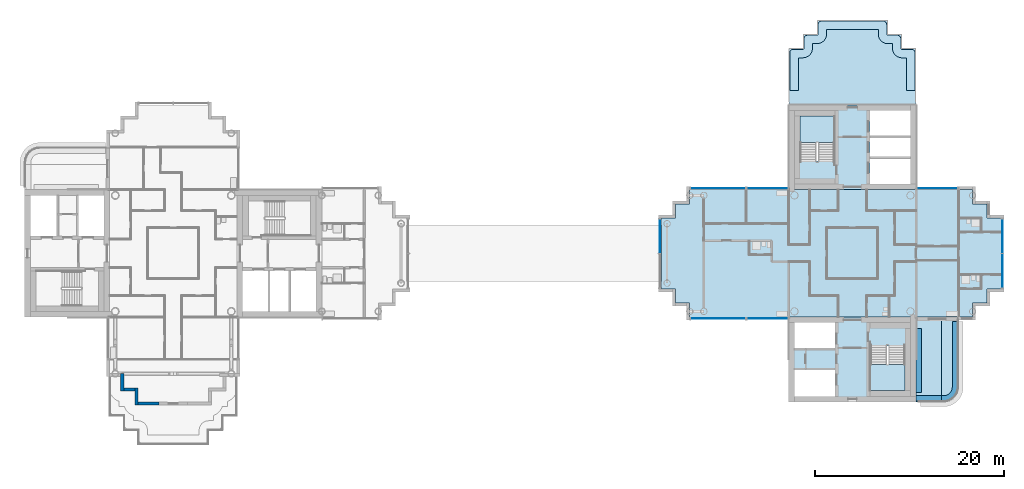
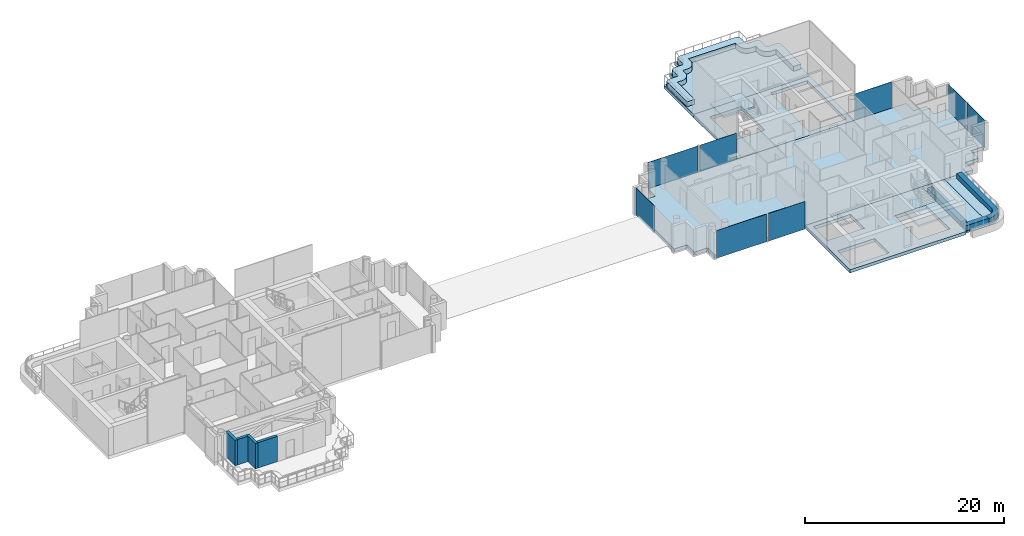
# One storey, part 6 of 19: 12 slabs, 8 plates, 4 walls, 9 elements without a shape of their own.
"""IFC4 building model written with IfcOpenShell, lengths in metres."""

from ifc_helpers import new_model, si_unit, direction, frame, frame_2d, origin, origin_2d, place, context, subcontext, project, spatial, polyline, rectangle, outline, extrude, material, layer, layer_set, type_object, element, aggregate, save


model = new_model("IFC4")

# Units and contexts
model_context = context("Model", 3, precision=1e-05, world=origin(), true_north=direction((0.0, 1.0)))
body_context = subcontext(model_context, "Body", "Model", "MODEL_VIEW")
ifc_project = project(units=[si_unit("LENGTHUNIT", "METRE"), si_unit("AREAUNIT", "SQUARE_METRE"), si_unit("VOLUMEUNIT", "CUBIC_METRE"), si_unit("PLANEANGLEUNIT", "RADIAN"), si_unit("MASSUNIT", "GRAM", prefix="KILO")], contexts=[model_context])

# Site, building, storey
site_placement = place(None, origin())
site = spatial("IfcSite", under=ifc_project, at=site_placement, CompositionType="ELEMENT")
building_placement = place(site_placement, origin())
building = spatial("IfcBuilding", under=site, at=building_placement, Name="Ipe Terrace Towers", CompositionType="ELEMENT")
storey_placement = place(building_placement, frame((0.0, 0.0, 185.800048828125)))
storey = spatial("IfcBuildingStorey", under=building, at=storey_placement, Name="L51", CompositionType="ELEMENT", Elevation=185.800048828125)

# Slabs
ifc_material_1 = material(Name="Concrete C30/37", Category="concrete")
ifc_layer_1 = layer(ifc_material_1, 0.199951171875)
ifc_layer_set_1 = layer_set([ifc_layer_1], Name="BALCONY SLAB 200")
slab_type_1 = type_object("IfcSlabType", Name="BALCONY SLAB 200", PredefinedType="FLOOR", material=ifc_layer_set_1)
slab_1_placement = place(storey_placement, frame((0.0, 0.0, -0.219970703125)))
element("IfcSlab", 1, at=slab_1_placement, inside=storey, type_object=slab_type_1, Name="balcony slab", PredefinedType="FLOOR", context=body_context, shape_type="SweptSolid", body=[
    extrude(outline(polyline([(42.75, -15.75), (45.449951171875, -15.75), (45.449951171875, -6.75), (42.75, -6.75), (42.75, -15.75)])), origin(), (0.0, 0.0, 1.0), 0.199951171875),
])
slab_2_placement = place(storey_placement, frame((0.0, 0.0, -0.219970703125)))
element("IfcSlab", 2, at=slab_2_placement, inside=storey, type_object=slab_type_1, Name="balcony slab", PredefinedType="FLOOR", context=body_context, shape_type="SweptSolid", body=[
    extrude(outline(polyline([(47.25, -6.75), (45.449951171875, -6.75), (45.449951171875, -15.75), (45.64990234375, -15.75), (45.85888671875, -15.736083984375), (46.06396484375, -15.695068359375), (46.261962890625, -15.6279296875), (46.449951171875, -15.535888671875), (46.6240234375, -15.4189453125), (46.781005859375, -15.281005859375), (46.9189453125, -15.1240234375), (47.035888671875, -14.949951171875), (47.1279296875, -14.761962890625), (47.195068359375, -14.56396484375), (47.236083984375, -14.35888671875), (47.25, -14.14990234375), (47.25, -6.75)])), origin(), (0.0, 0.0, 1.0), 0.199951171875),
])
ifc_material_2 = material(Name="Concrete C30/37", Category="concrete")
ifc_layer_2 = layer(ifc_material_2, 0.39990234375)
ifc_layer_set_2 = layer_set([ifc_layer_2], Name="CORE FLOOR SLAB 400 C30-37")
slab_type_2 = type_object("IfcSlabType", Name="CORE FLOOR SLAB 400 C30-37", PredefinedType="FLOOR", material=ifc_layer_set_2)
slab_3_placement = place(storey_placement, frame((0.0, 0.0, -0.400146484375)))
element("IfcSlab", 3, at=slab_3_placement, inside=storey, type_object=slab_type_2, Name="Core floor T2-C1", PredefinedType="FLOOR", context=body_context, shape_type="SweptSolid", body=[
    extrude(outline(polyline([(29.25, 6.75), (29.25, 15.75), (42.75, 15.75), (42.75, 6.75), (29.25, 6.75)]), holes=[polyline([(42.14990234375, 7.35009765625), (42.14990234375, 15.14990234375), (37.85009765625, 15.14990234375), (37.85009765625, 7.35009765625), (42.14990234375, 7.35009765625)]), polyline([(30.449951171875, 9.800048828125), (34.10009765625, 9.800048828125), (34.10009765625, 14.550048828125), (30.449951171875, 14.550048828125), (30.449951171875, 9.800048828125)])]), origin(), (0.0, 0.0, 1.0), 0.400146484375),
])
slab_4_placement = place(storey_placement, frame((0.0, 0.0, -0.400146484375)))
element("IfcSlab", 4, at=slab_4_placement, inside=storey, type_object=slab_type_2, Name="Core floor T2-C2", PredefinedType="FLOOR", context=body_context, shape_type="SweptSolid", body=[
    extrude(outline(polyline([(29.25, -15.75), (29.25, -6.75), (42.75, -6.75), (42.75, -15.75), (29.25, -15.75)]), holes=[polyline([(29.85009765625, -12.25), (29.85009765625, -15.14990234375), (34.14990234375, -15.14990234375), (34.14990234375, -12.25), (29.85009765625, -12.25)]), polyline([(41.550048828125, -9.800048828125), (37.89990234375, -9.800048828125), (37.89990234375, -14.550048828125), (41.550048828125, -14.550048828125), (41.550048828125, -9.800048828125)]), polyline([(34.14990234375, -7.35009765625), (29.85009765625, -7.35009765625), (29.85009765625, -10.14990234375), (34.14990234375, -10.14990234375), (34.14990234375, -7.35009765625)])]), origin(), (0.0, 0.0, 1.0), 0.400146484375),
])

# Stair, slab
ifc_material_3 = material(Name="Concrete C30/37", Category="concrete")
stair_type = type_object("IfcStairType", Name="Protected exit stair", PredefinedType="HALF_TURN_STAIR", material=ifc_material_3)
stair_1_placement = place(storey_placement, origin())
stair_1 = element("IfcStair", 5, at=stair_1_placement, inside=storey, type_object=stair_type, Name="L51 Exit stair T2-C1", PredefinedType="HALF_TURN_STAIR")
ifc_material_4 = material(Name="Concrete C30/37", Category="concrete")
ifc_layer_3 = layer(ifc_material_4, 0.199951171875)
ifc_layer_set_3 = layer_set([ifc_layer_3], Name="Exit stair landing 200")
slab_type_3 = type_object("IfcSlabType", Name="Exit stair landing 200", PredefinedType="LANDING", material=ifc_layer_set_3)
slab_5_placement = place(storey_placement, frame((0.0, 0.0, 1.5)))
slab_5 = element("IfcSlab", 6, at=slab_5_placement, type_object=slab_type_3, Name="T2-ST1 landing 1", PredefinedType="LANDING", context=body_context, shape_type="SweptSolid", body=[
    extrude(outline(polyline([(34.10009765625, 11.780029296875), (34.10009765625, 14.550048828125), (30.449951171875, 14.550048828125), (30.449951171875, 11.780029296875), (34.10009765625, 11.780029296875)])), origin(), (0.0, 0.0, 1.0), 0.199951171875),
])
aggregate(stair_1, [slab_5])

stair_2_placement = place(storey_placement, origin())
stair_2 = element("IfcStair", 7, at=stair_2_placement, inside=storey, type_object=stair_type, Name="L51 Exit stair T2-C2", PredefinedType="HALF_TURN_STAIR")
slab_6_placement = place(storey_placement, frame((0.0, 0.0, 1.5)))
slab_6 = element("IfcSlab", 8, at=slab_6_placement, type_object=slab_type_3, Name="T2-ST2 landing 1", PredefinedType="LANDING", context=body_context, shape_type="SweptSolid", body=[
    extrude(outline(polyline([(37.89990234375, -11.780029296875), (37.89990234375, -14.550048828125), (41.550048828125, -14.550048828125), (41.550048828125, -11.780029296875), (37.89990234375, -11.780029296875)])), origin(), (0.0, 0.0, 1.0), 0.199951171875),
])
aggregate(stair_2, [slab_6])

# Slabs
ifc_material_5 = material(Name="Concrete C40/50", Category="concrete")
ifc_layer_4 = layer(ifc_material_5, 0.39990234375)
ifc_layer_set_4 = layer_set([ifc_layer_4], Name="FLAT PLATE SLAB 400 C40-50")
slab_type_4 = type_object("IfcSlabType", Name="FLAT PLATE SLAB 400 C40-50", PredefinedType="FLOOR", material=ifc_layer_set_4)
slab_7_placement = place(storey_placement, frame((0.0, 0.0, -0.400146484375)))
element("IfcSlab", 9, at=slab_7_placement, inside=storey, type_object=slab_type_4, Name="Slab T2-FS-Z41", PredefinedType="FLOOR", context=body_context, shape_type="SweptSolid", body=[
    extrude(outline(polyline([(48.75, 5.25), (50.25, 5.25), (50.25, 3.75), (51.75, 3.75), (51.75, -3.75), (50.25, -3.75), (50.25, -5.25), (48.75, -5.25), (48.75, -6.75), (42.75, -6.75), (29.25, -6.75), (18.75, -6.75), (18.75, -5.25), (17.25, -5.25), (17.25, -3.75), (15.75, -3.75), (15.75, 3.75), (17.25, 3.75), (17.25, 5.25), (18.75, 5.25), (18.75, 6.75), (29.25, 6.75), (42.75, 6.75), (48.75, 6.75), (48.75, 5.25)])), origin(), (0.0, 0.0, 1.0), 0.400146484375),
])
ifc_material_6 = material(Name="Concrete C30/37", Category="concrete")
ifc_layer_5 = layer(ifc_material_6, 0.60009765625)
ifc_layer_set_5 = layer_set([ifc_layer_5], Name="PLANTER TROUGH 550 x 600")
slab_type_5 = type_object("IfcSlabType", Name="PLANTER TROUGH 550 x 600", PredefinedType="USERDEFINED", material=ifc_layer_set_5)
slab_8_placement = place(storey_placement, frame((0.0, 0.0, -0.02001953125)))
element("IfcSlab", 10, at=slab_8_placement, inside=storey, type_object=slab_type_5, Name="planter", ObjectType="PLANTER", PredefinedType="USERDEFINED", context=body_context, shape_type="SweptSolid", body=[
    extrude(outline(polyline([(42.75, -15.639892578125), (45.449951171875, -15.639892578125), (45.449951171875, -15.090087890625), (42.75, -15.090087890625), (42.75, -15.639892578125)])), origin(), (0.0, 0.0, 1.0), 0.599853515625),
])
slab_9_placement = place(storey_placement, frame((0.0, 0.0, -0.02001953125)))
element("IfcSlab", 11, at=slab_9_placement, inside=storey, type_object=slab_type_5, Name="planter", ObjectType="PLANTER", PredefinedType="USERDEFINED", context=body_context, shape_type="SweptSolid", body=[
    extrude(outline(polyline([(45.89306640625, -15.056884765625), (45.77294921875, -15.0810546875), (45.6279296875, -15.090087890625), (45.449951171875, -15.090087890625), (45.449951171875, -15.639892578125), (45.636962890625, -15.639892578125), (45.655029296875, -15.638916015625), (45.825927734375, -15.6279296875), (45.862060546875, -15.6240234375), (46.01806640625, -15.593017578125), (46.052978515625, -15.5830078125), (46.202880859375, -15.531982421875), (46.236083984375, -15.51806640625), (46.37890625, -15.447998046875), (46.409912109375, -15.429931640625), (46.5419921875, -15.342041015625), (46.570068359375, -15.320068359375), (46.68994140625, -15.215087890625), (46.715087890625, -15.18994140625), (46.820068359375, -15.070068359375), (46.842041015625, -15.0419921875), (46.929931640625, -14.909912109375), (46.947998046875, -14.87890625), (47.01806640625, -14.736083984375), (47.031982421875, -14.702880859375), (47.0830078125, -14.552978515625), (47.093017578125, -14.51806640625), (47.1240234375, -14.362060546875), (47.1279296875, -14.325927734375), (47.138916015625, -14.155029296875), (47.139892578125, -14.136962890625), (47.139892578125, -7.199951171875), (46.590087890625, -7.199951171875), (46.590087890625, -14.1279296875), (46.5810546875, -14.27294921875), (46.556884765625, -14.39306640625), (46.51708984375, -14.509033203125), (46.462890625, -14.618896484375), (46.39501953125, -14.720947265625), (46.31396484375, -14.81396484375), (46.220947265625, -14.89501953125), (46.118896484375, -14.962890625), (46.009033203125, -15.01708984375), (45.89306640625, -15.056884765625)])), origin(), (0.0, 0.0, 1.0), 0.599853515625),
])
slab_10_placement = place(storey_placement, frame((0.0, 0.0, -0.02001953125)))
element("IfcSlab", 12, at=slab_10_placement, inside=storey, type_object=slab_type_5, Name="planter", ObjectType="PLANTER", PredefinedType="USERDEFINED", context=body_context, shape_type="SweptSolid", body=[
    extrude(outline(polyline([(42.75, -7.949951171875), (42.75, -14.75), (43.300048828125, -14.75), (43.300048828125, -7.949951171875), (42.75, -7.949951171875)])), origin(), (0.0, 0.0, 1.0), 0.599853515625),
])
ifc_material_7 = material(Name="Concrete C40/50", Category="concrete")
ifc_layer_6 = layer(ifc_material_7, 0.39990234375)
ifc_layer_set_6 = layer_set([ifc_layer_6], Name="TERRACE DECK SLAB 400 C40-50")
slab_type_6 = type_object("IfcSlabType", Name="TERRACE DECK SLAB 400 C40-50", PredefinedType="FLOOR", material=ifc_layer_set_6)
slab_11_placement = place(storey_placement, frame((0.0, 0.0, -0.420166015625)))
element("IfcSlab", 13, at=slab_11_placement, inside=storey, type_object=slab_type_6, Name="Slab T2-TD-L51-1", PredefinedType="FLOOR", context=body_context, shape_type="SweptSolid", body=[
    extrude(outline(polyline([(29.2548828125, 15.7548828125), (29.2548828125, 21.7451171875), (30.7548828125, 21.7451171875), (30.7548828125, 23.2451171875), (32.2548828125, 23.2451171875), (32.2548828125, 24.7451171875), (39.7451171875, 24.7451171875), (39.7451171875, 23.2451171875), (41.2451171875, 23.2451171875), (41.2451171875, 21.7451171875), (42.7451171875, 21.7451171875), (42.7451171875, 15.7548828125), (29.2548828125, 15.7548828125)])), origin(), (0.0, 0.0, 1.0), 0.400146484375),
])
ifc_material_8 = material(Name="Concrete C30/37", Category="concrete")
ifc_layer_7 = layer(ifc_material_8, 0.60009765625)
ifc_layer_set_7 = layer_set([ifc_layer_7], Name="TERRACE PLANTING BED 900 x 600")
slab_type_7 = type_object("IfcSlabType", Name="TERRACE PLANTING BED 900 x 600", PredefinedType="USERDEFINED", material=ifc_layer_set_7)
slab_12_placement = place(storey_placement, frame((0.0, 0.0, -0.02001953125)))
element("IfcSlab", 14, at=slab_12_placement, inside=storey, type_object=slab_type_7, Name="planter", ObjectType="PLANTER", PredefinedType="USERDEFINED", context=body_context, shape_type="SweptSolid", body=[
    extrude(outline(polyline([(30.260009765625, 20.72998046875), (30.260009765625, 20.739990234375), (30.27001953125, 20.739990234375), (30.7509765625, 20.739990234375), (30.77099609375, 20.739990234375), (30.8291015625, 20.742919921875), (30.867919921875, 20.7470703125), (30.927978515625, 20.756103515625), (30.966064453125, 20.763916015625), (31.02392578125, 20.778076171875), (31.06201171875, 20.7900390625), (31.117919921875, 20.81005859375), (31.154052734375, 20.824951171875), (31.208984375, 20.85009765625), (31.242919921875, 20.868896484375), (31.294921875, 20.89990234375), (31.326904296875, 20.9208984375), (31.375, 20.95703125), (31.406005859375, 20.98193359375), (31.449951171875, 21.02197265625), (31.47802734375, 21.050048828125), (31.51806640625, 21.093994140625), (31.54296875, 21.125), (31.5791015625, 21.173095703125), (31.60009765625, 21.205078125), (31.631103515625, 21.257080078125), (31.64990234375, 21.291015625), (31.675048828125, 21.345947265625), (31.68994140625, 21.382080078125), (31.7099609375, 21.43798828125), (31.721923828125, 21.47607421875), (31.736083984375, 21.533935546875), (31.743896484375, 21.572021484375), (31.7529296875, 21.632080078125), (31.757080078125, 21.6708984375), (31.760009765625, 21.72900390625), (31.760009765625, 21.7490234375), (31.760009765625, 22.22998046875), (31.760009765625, 22.239990234375), (31.77001953125, 22.239990234375), (32.2509765625, 22.239990234375), (32.27099609375, 22.239990234375), (32.3291015625, 22.242919921875), (32.367919921875, 22.2470703125), (32.427978515625, 22.256103515625), (32.466064453125, 22.263916015625), (32.52392578125, 22.278076171875), (32.56201171875, 22.2900390625), (32.617919921875, 22.31005859375), (32.654052734375, 22.324951171875), (32.708984375, 22.35009765625), (32.742919921875, 22.368896484375), (32.794921875, 22.39990234375), (32.826904296875, 22.4208984375), (32.875, 22.45703125), (32.906005859375, 22.48193359375), (32.949951171875, 22.52197265625), (32.97802734375, 22.550048828125), (33.01806640625, 22.593994140625), (33.04296875, 22.625), (33.0791015625, 22.673095703125), (33.10009765625, 22.705078125), (33.131103515625, 22.757080078125), (33.14990234375, 22.791015625), (33.175048828125, 22.845947265625), (33.18994140625, 22.882080078125), (33.2099609375, 22.93798828125), (33.221923828125, 22.97607421875), (33.236083984375, 23.033935546875), (33.243896484375, 23.072021484375), (33.2529296875, 23.132080078125), (33.257080078125, 23.1708984375), (33.260009765625, 23.22900390625), (33.260009765625, 23.2490234375), (33.260009765625, 23.72998046875), (33.260009765625, 23.739990234375), (33.27001953125, 23.739990234375), (38.72998046875, 23.739990234375), (38.739990234375, 23.739990234375), (38.739990234375, 23.72998046875), (38.739990234375, 23.2490234375), (38.739990234375, 23.22900390625), (38.742919921875, 23.1708984375), (38.7470703125, 23.132080078125), (38.756103515625, 23.072021484375), (38.763916015625, 23.033935546875), (38.778076171875, 22.97607421875), (38.7900390625, 22.93798828125), (38.81005859375, 22.882080078125), (38.824951171875, 22.845947265625), (38.85009765625, 22.791015625), (38.868896484375, 22.757080078125), (38.89990234375, 22.705078125), (38.9208984375, 22.673095703125), (38.95703125, 22.625), (38.98193359375, 22.593994140625), (39.02197265625, 22.550048828125), (39.050048828125, 22.52197265625), (39.093994140625, 22.48193359375), (39.125, 22.45703125), (39.173095703125, 22.4208984375), (39.205078125, 22.39990234375), (39.257080078125, 22.368896484375), (39.291015625, 22.35009765625), (39.345947265625, 22.324951171875), (39.382080078125, 22.31005859375), (39.43798828125, 22.2900390625), (39.47607421875, 22.278076171875), (39.533935546875, 22.263916015625), (39.572021484375, 22.256103515625), (39.632080078125, 22.2470703125), (39.6708984375, 22.242919921875), (39.72900390625, 22.239990234375), (39.7490234375, 22.239990234375), (40.22998046875, 22.239990234375), (40.239990234375, 22.239990234375), (40.239990234375, 22.22998046875), (40.239990234375, 21.7490234375), (40.239990234375, 21.72900390625), (40.242919921875, 21.6708984375), (40.2470703125, 21.632080078125), (40.256103515625, 21.572021484375), (40.263916015625, 21.533935546875), (40.278076171875, 21.47607421875), (40.2900390625, 21.43798828125), (40.31005859375, 21.382080078125), (40.324951171875, 21.345947265625), (40.35009765625, 21.291015625), (40.368896484375, 21.257080078125), (40.39990234375, 21.205078125), (40.4208984375, 21.173095703125), (40.45703125, 21.125), (40.48193359375, 21.093994140625), (40.52197265625, 21.050048828125), (40.550048828125, 21.02197265625), (40.593994140625, 20.98193359375), (40.625, 20.95703125), (40.673095703125, 20.9208984375), (40.705078125, 20.89990234375), (40.757080078125, 20.868896484375), (40.791015625, 20.85009765625), (40.845947265625, 20.824951171875), (40.882080078125, 20.81005859375), (40.93798828125, 20.7900390625), (40.97607421875, 20.778076171875), (41.033935546875, 20.763916015625), (41.072021484375, 20.756103515625), (41.132080078125, 20.7470703125), (41.1708984375, 20.742919921875), (41.22900390625, 20.739990234375), (41.2490234375, 20.739990234375), (41.72998046875, 20.739990234375), (41.739990234375, 20.739990234375), (41.739990234375, 20.72998046875), (41.739990234375, 17.27001953125), (42.639892578125, 17.27001953125), (42.639892578125, 21.239990234375), (42.637939453125, 21.279052734375), (42.632080078125, 21.318115234375), (42.623046875, 21.35595703125), (42.610107421875, 21.39306640625), (42.593017578125, 21.428955078125), (42.572998046875, 21.4619140625), (42.549072265625, 21.493896484375), (42.52294921875, 21.52294921875), (42.493896484375, 21.549072265625), (42.4619140625, 21.572998046875), (42.428955078125, 21.593017578125), (42.39306640625, 21.610107421875), (42.35595703125, 21.623046875), (42.318115234375, 21.632080078125), (42.279052734375, 21.637939453125), (42.239990234375, 21.639892578125), (41.26611328125, 21.639892578125), (41.256103515625, 21.639892578125), (41.2490234375, 21.64111328125), (41.23388671875, 21.64208984375), (41.222900390625, 21.64404296875), (41.212890625, 21.64697265625), (41.202880859375, 21.65087890625), (41.194091796875, 21.656005859375), (41.18505859375, 21.662109375), (41.177001953125, 21.6689453125), (41.1689453125, 21.677001953125), (41.162109375, 21.68505859375), (41.156005859375, 21.694091796875), (41.15087890625, 21.702880859375), (41.14697265625, 21.712890625), (41.14404296875, 21.722900390625), (41.14208984375, 21.73388671875), (41.14111328125, 21.7490234375), (41.139892578125, 21.756103515625), (41.139892578125, 21.76611328125), (41.139892578125, 22.739990234375), (41.137939453125, 22.779052734375), (41.132080078125, 22.818115234375), (41.123046875, 22.85595703125), (41.110107421875, 22.89306640625), (41.093017578125, 22.928955078125), (41.072998046875, 22.9619140625), (41.049072265625, 22.993896484375), (41.02294921875, 23.02294921875), (40.993896484375, 23.049072265625), (40.9619140625, 23.072998046875), (40.928955078125, 23.093017578125), (40.89306640625, 23.110107421875), (40.85595703125, 23.123046875), (40.818115234375, 23.132080078125), (40.779052734375, 23.137939453125), (40.739990234375, 23.139892578125), (39.76611328125, 23.139892578125), (39.756103515625, 23.139892578125), (39.7490234375, 23.14111328125), (39.73388671875, 23.14208984375), (39.722900390625, 23.14404296875), (39.712890625, 23.14697265625), (39.702880859375, 23.15087890625), (39.694091796875, 23.156005859375), (39.68505859375, 23.162109375), (39.677001953125, 23.1689453125), (39.6689453125, 23.177001953125), (39.662109375, 23.18505859375), (39.656005859375, 23.194091796875), (39.65087890625, 23.202880859375), (39.64697265625, 23.212890625), (39.64404296875, 23.222900390625), (39.64208984375, 23.23388671875), (39.64111328125, 23.2490234375), (39.639892578125, 23.256103515625), (39.639892578125, 23.26611328125), (39.639892578125, 24.239990234375), (39.637939453125, 24.279052734375), (39.632080078125, 24.318115234375), (39.623046875, 24.35595703125), (39.610107421875, 24.39306640625), (39.593017578125, 24.428955078125), (39.572998046875, 24.4619140625), (39.549072265625, 24.493896484375), (39.52294921875, 24.52294921875), (39.493896484375, 24.549072265625), (39.4619140625, 24.572998046875), (39.428955078125, 24.593017578125), (39.39306640625, 24.610107421875), (39.35595703125, 24.623046875), (39.318115234375, 24.632080078125), (39.279052734375, 24.637939453125), (39.239990234375, 24.639892578125), (32.760009765625, 24.639892578125), (32.720947265625, 24.637939453125), (32.681884765625, 24.632080078125), (32.64404296875, 24.623046875), (32.60693359375, 24.610107421875), (32.571044921875, 24.593017578125), (32.5380859375, 24.572998046875), (32.506103515625, 24.549072265625), (32.47705078125, 24.52294921875), (32.450927734375, 24.493896484375), (32.427001953125, 24.4619140625), (32.406982421875, 24.428955078125), (32.389892578125, 24.39306640625), (32.376953125, 24.35595703125), (32.367919921875, 24.318115234375), (32.362060546875, 24.279052734375), (32.360107421875, 24.239990234375), (32.360107421875, 23.26611328125), (32.360107421875, 23.256103515625), (32.35888671875, 23.2490234375), (32.35791015625, 23.23388671875), (32.35595703125, 23.222900390625), (32.35302734375, 23.212890625), (32.34912109375, 23.202880859375), (32.343994140625, 23.194091796875), (32.337890625, 23.18505859375), (32.3310546875, 23.177001953125), (32.322998046875, 23.1689453125), (32.31494140625, 23.162109375), (32.305908203125, 23.156005859375), (32.297119140625, 23.15087890625), (32.287109375, 23.14697265625), (32.277099609375, 23.14404296875), (32.26611328125, 23.14208984375), (32.2509765625, 23.14111328125), (32.243896484375, 23.139892578125), (32.23388671875, 23.139892578125), (31.260009765625, 23.139892578125), (31.220947265625, 23.137939453125), (31.181884765625, 23.132080078125), (31.14404296875, 23.123046875), (31.10693359375, 23.110107421875), (31.071044921875, 23.093017578125), (31.0380859375, 23.072998046875), (31.006103515625, 23.049072265625), (30.97705078125, 23.02294921875), (30.950927734375, 22.993896484375), (30.927001953125, 22.9619140625), (30.906982421875, 22.928955078125), (30.889892578125, 22.89306640625), (30.876953125, 22.85595703125), (30.867919921875, 22.818115234375), (30.862060546875, 22.779052734375), (30.860107421875, 22.739990234375), (30.860107421875, 21.76611328125), (30.860107421875, 21.756103515625), (30.85888671875, 21.7490234375), (30.85791015625, 21.73388671875), (30.85595703125, 21.722900390625), (30.85302734375, 21.712890625), (30.84912109375, 21.702880859375), (30.843994140625, 21.694091796875), (30.837890625, 21.68505859375), (30.8310546875, 21.677001953125), (30.822998046875, 21.6689453125), (30.81494140625, 21.662109375), (30.805908203125, 21.656005859375), (30.797119140625, 21.65087890625), (30.787109375, 21.64697265625), (30.777099609375, 21.64404296875), (30.76611328125, 21.64208984375), (30.7509765625, 21.64111328125), (30.743896484375, 21.639892578125), (30.73388671875, 21.639892578125), (29.760009765625, 21.639892578125), (29.720947265625, 21.637939453125), (29.681884765625, 21.632080078125), (29.64404296875, 21.623046875), (29.60693359375, 21.610107421875), (29.571044921875, 21.593017578125), (29.5380859375, 21.572998046875), (29.506103515625, 21.549072265625), (29.47705078125, 21.52294921875), (29.450927734375, 21.493896484375), (29.427001953125, 21.4619140625), (29.406982421875, 21.428955078125), (29.389892578125, 21.39306640625), (29.376953125, 21.35595703125), (29.367919921875, 21.318115234375), (29.362060546875, 21.279052734375), (29.360107421875, 21.239990234375), (29.360107421875, 17.27001953125), (30.260009765625, 17.27001953125), (30.260009765625, 20.72998046875)])), origin(), (0.0, 0.0, 1.0), 0.599853515625),
])

# Curtain wall, plates
ifc_material_9 = material(Name="Aluminium alloy 6063-T6", Category="aluminium")
ifc_layer_8 = layer(ifc_material_9, 0.320068359375)
ifc_layer_set_8 = layer_set([ifc_layer_8], Name="TOWER UNITISED CURTAIN WALL")
curtain_wall_type = type_object("IfcCurtainWallType", Name="TOWER UNITISED CURTAIN WALL", PredefinedType="NOTDEFINED", material=ifc_layer_set_8)
curtain_wall_1_placement = place(storey_placement, origin())
curtain_wall_1 = element("IfcCurtainWall", 15, at=curtain_wall_1_placement, inside=storey, type_object=curtain_wall_type, Name="T2-CW-L51-08a curtain wall", PredefinedType="NOTDEFINED")
ifc_material_10 = material(Name="Glass, clear laminated", Category="glass")
ifc_layer_9 = layer(ifc_material_10, 0.031982421875)
ifc_layer_set_9 = layer_set([ifc_layer_9], Name="TOWER UNITISED GLASS PANEL 32")
plate_type = type_object("IfcPlateType", Name="TOWER UNITISED GLASS PANEL 32", PredefinedType="CURTAIN_PANEL", material=ifc_layer_set_9)
plate_1_placement = place(storey_placement, frame((51.909912109375, -1.831298828125, -0.300048828125), z_axis=(0.0, 0.0, 1.0), x_axis=(0.0, 1.0, 0.0)))
plate_1 = element("IfcPlate", 16, at=plate_1_placement, type_object=plate_type, Name="T2-CW-L51-08a panel 1", PredefinedType="CURTAIN_PANEL", context=body_context, shape_type="SweptSolid", body=[
    extrude(rectangle(XDim=3.597412109375, YDim=0.031982421875, at=origin_2d()), origin(), (0.0, 0.0, 1.0), 3.39990234375),
])
plate_2_placement = place(storey_placement, frame((51.909912109375, 1.831298828125, -0.300048828125), z_axis=(0.0, 0.0, 1.0), x_axis=(0.0, 1.0, 0.0)))
plate_2 = element("IfcPlate", 17, at=plate_2_placement, type_object=plate_type, Name="T2-CW-L51-08a panel 2", PredefinedType="CURTAIN_PANEL", context=body_context, shape_type="SweptSolid", body=[
    extrude(rectangle(XDim=3.597412109375, YDim=0.031982421875, at=origin_2d()), origin(), (0.0, 0.0, 1.0), 3.39990234375),
])
aggregate(curtain_wall_1, [plate_1, plate_2])

# Curtain wall, plate
curtain_wall_2_placement = place(storey_placement, origin())
curtain_wall_2 = element("IfcCurtainWall", 18, at=curtain_wall_2_placement, inside=storey, type_object=curtain_wall_type, Name="T2-CW-L51-14a curtain wall", PredefinedType="NOTDEFINED")
plate_3_placement = place(storey_placement, frame((45.0, 6.909912109375, -0.300048828125), z_axis=(0.0, 0.0, 1.0), x_axis=(-1.0, 0.0, 0.0)))
plate_3 = element("IfcPlate", 19, at=plate_3_placement, type_object=plate_type, Name="T2-CW-L51-14a panel 1", PredefinedType="CURTAIN_PANEL", context=body_context, shape_type="SweptSolid", body=[
    extrude(rectangle(XDim=4.260009765625, YDim=0.031982421875, at=origin_2d()), origin(), (0.0, 0.0, 1.0), 3.39990234375),
])
aggregate(curtain_wall_2, [plate_3])

curtain_wall_3_placement = place(storey_placement, origin())
curtain_wall_3 = element("IfcCurtainWall", 20, at=curtain_wall_3_placement, inside=storey, type_object=curtain_wall_type, Name="T2-CW-L51-20a curtain wall", PredefinedType="NOTDEFINED")
plate_4_placement = place(storey_placement, frame((27.0, 6.909912109375, -0.300048828125), z_axis=(0.0, 0.0, 1.0), x_axis=(-1.0, 0.0, 0.0)))
plate_4 = element("IfcPlate", 21, at=plate_4_placement, type_object=plate_type, Name="T2-CW-L51-20a panel 1", PredefinedType="CURTAIN_PANEL", context=body_context, shape_type="SweptSolid", body=[
    extrude(rectangle(XDim=4.260009765625, YDim=0.031982421875, at=origin_2d()), origin(), (0.0, 0.0, 1.0), 3.39990234375),
])
aggregate(curtain_wall_3, [plate_4])

curtain_wall_4_placement = place(storey_placement, origin())
curtain_wall_4 = element("IfcCurtainWall", 22, at=curtain_wall_4_placement, inside=storey, type_object=curtain_wall_type, Name="T2-CW-L51-21a curtain wall", PredefinedType="NOTDEFINED")
plate_5_placement = place(storey_placement, frame((21.75, 6.909912109375, -0.300048828125), z_axis=(0.0, 0.0, 1.0), x_axis=(-1.0, 0.0, 0.0)))
plate_5 = element("IfcPlate", 23, at=plate_5_placement, type_object=plate_type, Name="T2-CW-L51-21a panel 1", PredefinedType="CURTAIN_PANEL", context=body_context, shape_type="SweptSolid", body=[
    extrude(rectangle(XDim=5.760009765625, YDim=0.031982421875, at=origin_2d()), origin(), (0.0, 0.0, 1.0), 3.39990234375),
])
aggregate(curtain_wall_4, [plate_5])

curtain_wall_5_placement = place(storey_placement, origin())
curtain_wall_5 = element("IfcCurtainWall", 24, at=curtain_wall_5_placement, inside=storey, type_object=curtain_wall_type, Name="T2-CW-L51-26a curtain wall", PredefinedType="NOTDEFINED")
plate_6_placement = place(storey_placement, frame((15.590087890625, 1.831298828125, -0.300048828125), z_axis=(0.0, 0.0, 1.0), x_axis=(0.0, -1.0, 0.0)))
plate_6 = element("IfcPlate", 25, at=plate_6_placement, type_object=plate_type, Name="T2-CW-L51-26a panel 1", PredefinedType="CURTAIN_PANEL", context=body_context, shape_type="SweptSolid", body=[
    extrude(rectangle(XDim=3.597412109375, YDim=0.031982421875, at=origin_2d()), origin(), (0.0, 0.0, 1.0), 3.39990234375),
])
aggregate(curtain_wall_5, [plate_6])

curtain_wall_6_placement = place(storey_placement, origin())
curtain_wall_6 = element("IfcCurtainWall", 26, at=curtain_wall_6_placement, inside=storey, type_object=curtain_wall_type, Name="T2-CW-L51-31a curtain wall", PredefinedType="NOTDEFINED")
plate_7_placement = place(storey_placement, frame((21.75, -6.909912109375, -0.300048828125), z_axis=(0.0, 0.0, 1.0), x_axis=(1.0, 0.0, 0.0)))
plate_7 = element("IfcPlate", 27, at=plate_7_placement, type_object=plate_type, Name="T2-CW-L51-31a panel 1", PredefinedType="CURTAIN_PANEL", context=body_context, shape_type="SweptSolid", body=[
    extrude(rectangle(XDim=5.760009765625, YDim=0.031982421875, at=origin_2d()), origin(), (0.0, 0.0, 1.0), 3.39990234375),
])
aggregate(curtain_wall_6, [plate_7])

curtain_wall_7_placement = place(storey_placement, origin())
curtain_wall_7 = element("IfcCurtainWall", 28, at=curtain_wall_7_placement, inside=storey, type_object=curtain_wall_type, Name="T2-CW-L51-32a curtain wall", PredefinedType="NOTDEFINED")
plate_8_placement = place(storey_placement, frame((27.0, -6.909912109375, -0.300048828125), z_axis=(0.0, 0.0, 1.0), x_axis=(1.0, 0.0, 0.0)))
plate_8 = element("IfcPlate", 29, at=plate_8_placement, type_object=plate_type, Name="T2-CW-L51-32a panel 1", PredefinedType="CURTAIN_PANEL", context=body_context, shape_type="SweptSolid", body=[
    extrude(rectangle(XDim=4.260009765625, YDim=0.031982421875, at=origin_2d()), origin(), (0.0, 0.0, 1.0), 3.39990234375),
])
aggregate(curtain_wall_7, [plate_8])

# Walls
ifc_material_11 = material(Name="Concrete C40/50 with buff precast cladding", Category="concrete")
ifc_layer_10 = layer(ifc_material_11, 0.320068359375)
ifc_layer_set_10 = layer_set([ifc_layer_10], Name="BUFF CLADDING WALL 320")
wall_type = type_object("IfcWallType", Name="BUFF CLADDING WALL 320", PredefinedType="STANDARD", material=ifc_layer_set_10)
wall_1_placement = place(storey_placement, frame((-41.409912109375, -12.75, -0.02001953125), z_axis=(0.0, 0.0, 1.0), x_axis=(0.0, -1.0, 0.0)))
element("IfcWall", 30, at=wall_1_placement, inside=storey, type_object=wall_type, Name="T1-W-L51-05a wall", PredefinedType="STANDARD", context=body_context, shape_type="SweptSolid", body=[
    extrude(rectangle(XDim=1.820068359375, YDim=0.320068359375, at=frame_2d((0.91015625, 0.0))), origin(), (0.0, 0.0, 1.0), 3.119873046875),
])
wall_2_placement = place(storey_placement, frame((-41.25, -14.409912109375, -0.02001953125), z_axis=(0.0, 0.0, 1.0), x_axis=(1.0, 0.0, 0.0)))
element("IfcWall", 31, at=wall_2_placement, inside=storey, type_object=wall_type, Name="T1-W-L51-06a wall", PredefinedType="STANDARD", context=body_context, shape_type="SweptSolid", body=[
    extrude(rectangle(XDim=1.179931640625, YDim=0.320068359375, at=frame_2d((0.58984375, 0.0))), origin(), (0.0, 0.0, 1.0), 3.119873046875),
])
wall_3_placement = place(storey_placement, frame((-39.909912109375, -14.25, -0.02001953125), z_axis=(0.0, 0.0, 1.0), x_axis=(0.0, -1.0, 0.0)))
element("IfcWall", 32, at=wall_3_placement, inside=storey, type_object=wall_type, Name="T1-W-L51-07a wall", PredefinedType="STANDARD", context=body_context, shape_type="SweptSolid", body=[
    extrude(rectangle(XDim=1.820068359375, YDim=0.320068359375, at=frame_2d((0.91015625, 0.0))), origin(), (0.0, 0.0, 1.0), 3.119873046875),
])
wall_4_placement = place(storey_placement, frame((-39.75, -15.909912109375, -0.02001953125), z_axis=(0.0, 0.0, 1.0), x_axis=(1.0, 0.0, 0.0)))
element("IfcWall", 33, at=wall_4_placement, inside=storey, type_object=wall_type, Name="T1-W-L51-08a wall", PredefinedType="STANDARD", context=body_context, shape_type="SweptSolid", body=[
    extrude(rectangle(XDim=2.25, YDim=0.320068359375, at=frame_2d((1.125, 0.0))), origin(), (0.0, 0.0, 1.0), 3.119873046875),
])

save(model, "model.ifc")
